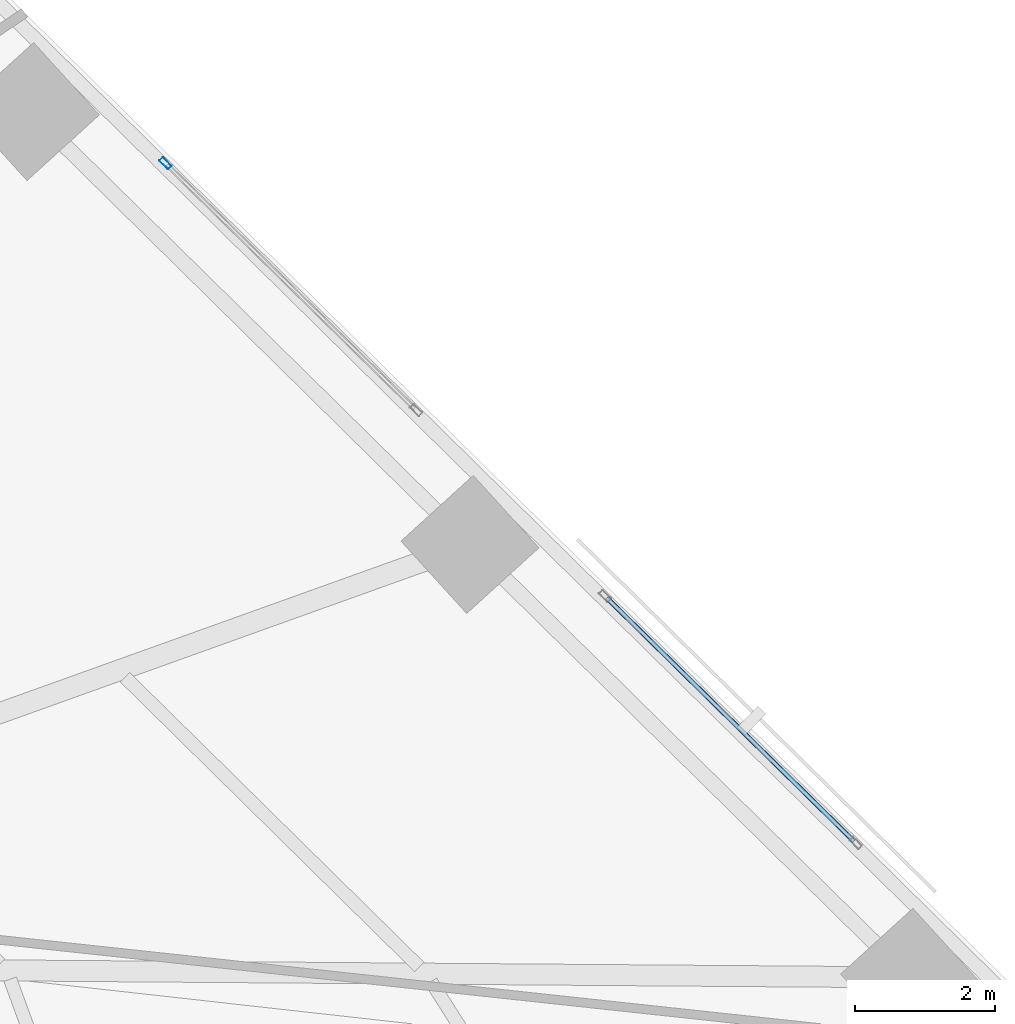
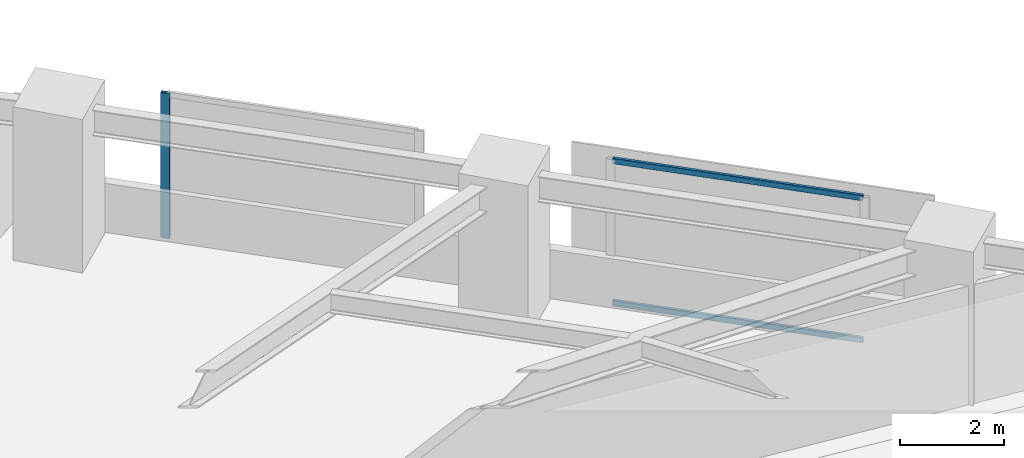
# One storey, part 7 of 17: 3 members, 2 elements without a shape of their own.
"""IFC4 building model written with IfcOpenShell, lengths in metres."""

from ifc_helpers import new_model, si_unit, direction, frame, origin, origin_2d, place, context, subcontext, project, spatial, hollow_rectangle, extrude, material, material_profile, profile_set, type_object, element, aggregate, save


model = new_model("IFC4")

# Units and contexts
model_context = context("Model", 3, precision=1e-05, world=origin(), true_north=direction((0.0, 1.0)))
body_context = subcontext(model_context, "Body", "Model", "MODEL_VIEW")
ifc_project = project(units=[si_unit("LENGTHUNIT", "METRE"), si_unit("AREAUNIT", "SQUARE_METRE"), si_unit("VOLUMEUNIT", "CUBIC_METRE"), si_unit("PLANEANGLEUNIT", "RADIAN"), si_unit("MASSUNIT", "GRAM", prefix="KILO")], contexts=[model_context])

# Site, building, storey
site_placement = place(None, origin())
site = spatial("IfcSite", under=ifc_project, at=site_placement, CompositionType="ELEMENT")
building_placement = place(site_placement, origin())
building = spatial("IfcBuilding", under=site, at=building_placement, Name="Narakoshi Arena Tower", CompositionType="ELEMENT")
storey_placement = place(building_placement, frame((0.0, 0.0, 48.300048828125)))
storey = spatial("IfcBuildingStorey", under=building, at=storey_placement, Name="L12", CompositionType="ELEMENT", Elevation=48.300048828125)

# Curtain wall, member
ifc_material = material(Name="Anodised bronze aluminium 6063-T6", Category="aluminium")
curtain_wall_type = type_object("IfcCurtainWallType", Name="CW-HYP-LOW", PredefinedType="NOTDEFINED", material=ifc_material)
curtain_wall_1_placement = place(storey_placement, origin())
curtain_wall_1 = element("IfcCurtainWall", 1, at=curtain_wall_1_placement, inside=storey, type_object=curtain_wall_type, Name="L12 Folded Hypotenuse Curtain Wall 1-4", PredefinedType="NOTDEFINED")
ifc_material_profile_1 = material_profile(ifc_material, hollow_rectangle(XDim=0.074951171875, YDim=0.179931640625, WallThickness=0.00390625, OuterFilletRadius=0.0048828125, at=origin_2d()), Name="MUL180x75x4")
ifc_profile_set_1 = profile_set([ifc_material_profile_1], Name="Anodised bronze aluminium 6063-T6")
member_type_1 = type_object("IfcMemberType", Name="MEM-MUL-180", PredefinedType="MULLION", material=ifc_profile_set_1)
member_1_placement = place(storey_placement, frame((97.982177734375, 54.835205078125, 0.0), z_axis=(0.0, 0.0, 1.0), x_axis=(-0.701632802488, -0.712538708053, 0.0)))
member_1 = element("IfcMember", 2, at=member_1_placement, type_object=member_type_1, Name="CW-01 mullion 2", PredefinedType="MULLION", context=body_context, shape_type="SweptSolid", body=[
    extrude(hollow_rectangle(XDim=0.074951171875, YDim=0.179931640625, WallThickness=0.00390625, OuterFilletRadius=0.0048828125, at=origin_2d()), origin(), (0.0, 0.0, 1.0), 3.39990234375),
])
aggregate(curtain_wall_1, [member_1])

# Curtain wall, members
curtain_wall_2_placement = place(storey_placement, origin())
curtain_wall_2 = element("IfcCurtainWall", 3, at=curtain_wall_2_placement, inside=storey, type_object=curtain_wall_type, Name="L12 Folded Hypotenuse Curtain Wall 1-3", PredefinedType="NOTDEFINED")
ifc_material_profile_2 = material_profile(ifc_material, hollow_rectangle(XDim=0.06494140625, YDim=0.1298828125, WallThickness=0.00390625, OuterFilletRadius=0.0048828125, at=origin_2d()), Name="TRN130x65x4")
ifc_profile_set_2 = profile_set([ifc_material_profile_2], Name="Anodised bronze aluminium 6063-T6")
member_type_2 = type_object("IfcMemberType", Name="MEM-TRN-130", PredefinedType="USERDEFINED", material=ifc_profile_set_2)
member_2_placement = place(storey_placement, frame((107.845947265625, 45.122314453125, 0.032470703125), z_axis=(-0.712542243067, 0.701629212508, 0.0), x_axis=(-0.701629212508, -0.712542243067, 0.0)))
member_2 = element("IfcMember", 4, at=member_2_placement, type_object=member_type_2, Name="CW-01 transom 1.1", ObjectType="TRANSOM", PredefinedType="USERDEFINED", context=body_context, shape_type="SweptSolid", body=[
    extrude(hollow_rectangle(XDim=0.06494140625, YDim=0.1298828125, WallThickness=0.00390625, OuterFilletRadius=0.0048828125, at=origin_2d()), origin(), (0.0, 0.0, 1.0), 4.966552734375),
])
member_3_placement = place(storey_placement, frame((107.845947265625, 45.122314453125, 3.367431640625), z_axis=(-0.712542243067, 0.701629212508, 0.0), x_axis=(-0.701629212508, -0.712542243067, 0.0)))
member_3 = element("IfcMember", 5, at=member_3_placement, type_object=member_type_2, Name="CW-01 transom 1.2", ObjectType="TRANSOM", PredefinedType="USERDEFINED", context=body_context, shape_type="SweptSolid", body=[
    extrude(hollow_rectangle(XDim=0.06494140625, YDim=0.1298828125, WallThickness=0.00390625, OuterFilletRadius=0.0048828125, at=origin_2d()), origin(), (0.0, 0.0, 1.0), 4.966552734375),
])
aggregate(curtain_wall_2, [member_2, member_3])

save(model, "model.ifc")
